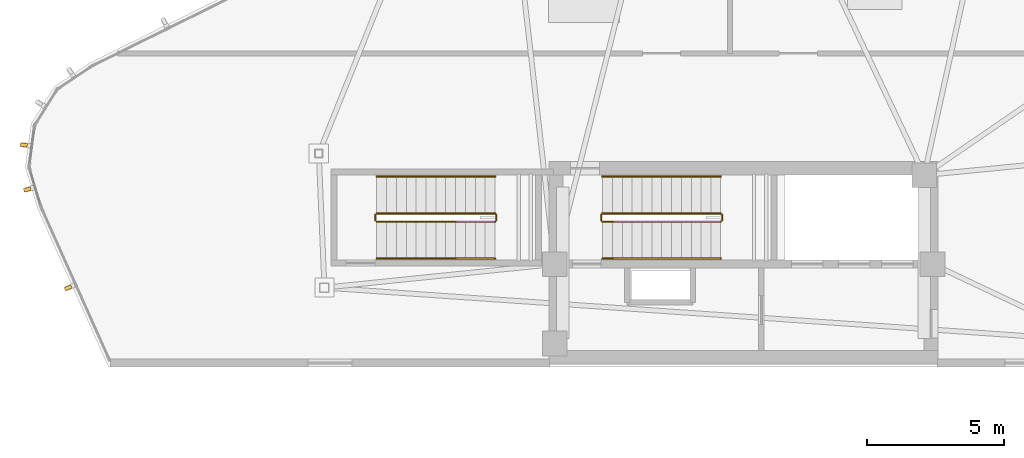
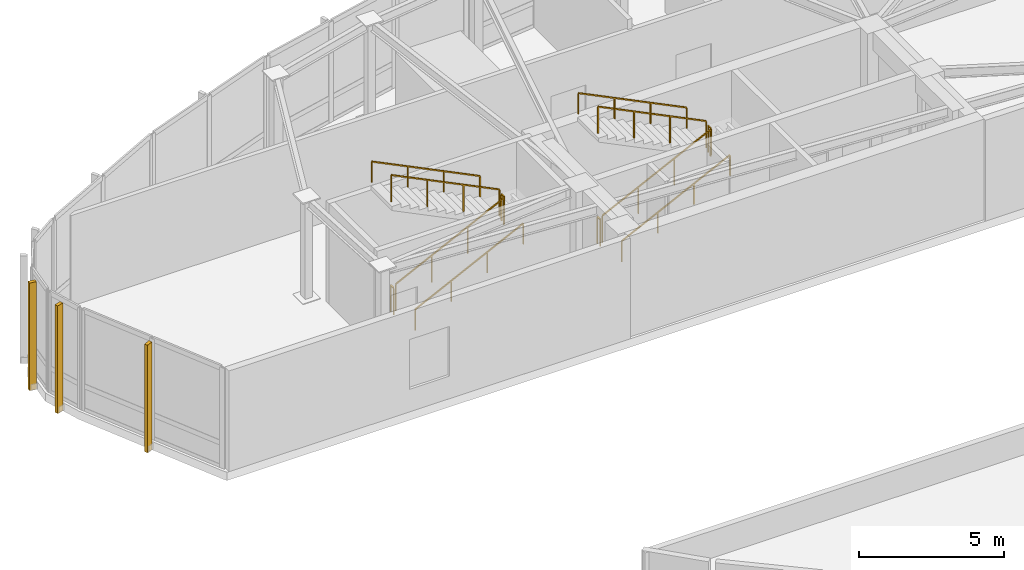
# One storey, part 9 of 11: 12 railings, 3 shading devices.
"""IFC4 building model written with IfcOpenShell, lengths in metres."""

from ifc_helpers import new_model, si_unit, direction, frame, origin, origin_2d, place, context, subcontext, project, spatial, rectangle, extrude, source, transform, mapped, material, type_object, type_shapes, element, save


model = new_model("IFC4")

# Units and contexts
model_context = context("Model", 3, precision=1e-05, world=origin(), true_north=direction((0.0, 1.0)))
body_context = subcontext(model_context, "Body", "Model", "MODEL_VIEW")
ifc_project = project(units=[si_unit("LENGTHUNIT", "METRE"), si_unit("AREAUNIT", "SQUARE_METRE"), si_unit("VOLUMEUNIT", "CUBIC_METRE"), si_unit("PLANEANGLEUNIT", "RADIAN"), si_unit("MASSUNIT", "GRAM", prefix="KILO")], contexts=[model_context])

# Site, building, storey
site_placement = place(None, origin())
site = spatial("IfcSite", under=ifc_project, at=site_placement, CompositionType="ELEMENT")
building_placement = place(site_placement, origin())
building = spatial("IfcBuilding", under=site, at=building_placement, Name="Tavelor Broadcast Tower", CompositionType="ELEMENT")
storey_placement = place(building_placement, frame((0.0, 0.0, 345.89990234375)))
storey = spatial("IfcBuildingStorey", under=building, at=storey_placement, Name="L82", CompositionType="ELEMENT", Elevation=345.89990234375)

# Railings
ifc_material_1 = material(Name="Steel S355", Category="steel")
railing_type_1 = type_object("IfcRailingType", Name="Continuous Brushed Stainless Handrail 900 mm", PredefinedType="HANDRAIL", material=ifc_material_1)
railing_1_placement = place(storey_placement, frame((44.85009765625, 48.14990234375, 0.177001953125)))
element("IfcRailing", 1, at=railing_1_placement, inside=storey, type_object=railing_type_1, Name="L82 ST1 stair handrail 1", PredefinedType="HANDRAIL", context=body_context, shape_type="SweptSolid", body=[
    extrude(rectangle(XDim=0.048095703125, YDim=0.048095703125, at=origin_2d()), frame((0.0, 0.0, 0.8759765625), z_axis=(0.897469794739, 0.0, 0.441075920371), x_axis=(0.0, 1.0, 0.0)), (0.0, 0.0, 1.0), 4.813232421875),
    extrude(rectangle(XDim=0.0419921875, YDim=0.0419921875, at=origin_2d()), origin(), (0.0, 0.0, 1.0), 0.851806640625),
    extrude(rectangle(XDim=0.0419921875, YDim=0.0419921875, at=origin_2d()), frame((1.43994140625, 0.0, 0.707763671875)), (0.0, 0.0, 1.0), 0.851806640625),
    extrude(rectangle(XDim=0.0419921875, YDim=0.0419921875, at=origin_2d()), frame((2.8798828125, 0.0, 1.415283203125)), (0.0, 0.0, 1.0), 0.851806640625),
    extrude(rectangle(XDim=0.0419921875, YDim=0.0419921875, at=origin_2d()), frame((4.31982421875, 0.0, 2.123046875)), (0.0, 0.0, 1.0), 0.851806640625),
])
railing_2_placement = place(storey_placement, frame((49.169921875, 51.14990234375, 2.47705078125)))
element("IfcRailing", 2, at=railing_2_placement, inside=storey, type_object=railing_type_1, Name="L82 ST1 stair handrail 2", PredefinedType="HANDRAIL", context=body_context, shape_type="SweptSolid", body=[
    extrude(rectangle(XDim=0.048095703125, YDim=0.048095703125, at=origin_2d()), frame((0.0, 0.0, 0.8759765625), z_axis=(-0.897469794739, 0.0, 0.441075920371), x_axis=(0.0, -1.0, 0.0)), (0.0, 0.0, 1.0), 4.813232421875),
    extrude(rectangle(XDim=0.0419921875, YDim=0.0419921875, at=origin_2d()), origin(), (0.0, 0.0, 1.0), 0.851806640625),
    extrude(rectangle(XDim=0.0419921875, YDim=0.0419921875, at=origin_2d()), frame((-1.43994140625, 0.0, 0.707763671875)), (0.0, 0.0, 1.0), 0.851806640625),
    extrude(rectangle(XDim=0.0419921875, YDim=0.0419921875, at=origin_2d()), frame((-2.8798828125, 0.0, 1.415283203125)), (0.0, 0.0, 1.0), 0.851806640625),
    extrude(rectangle(XDim=0.0419921875, YDim=0.0419921875, at=origin_2d()), frame((-4.31982421875, 0.0, 2.123046875)), (0.0, 0.0, 1.0), 0.851806640625),
])
railing_3_placement = place(storey_placement, frame((36.60009765625, 48.14990234375, 0.177001953125)))
element("IfcRailing", 3, at=railing_3_placement, inside=storey, type_object=railing_type_1, Name="L82 ST5 stair handrail 1", PredefinedType="HANDRAIL", context=body_context, shape_type="SweptSolid", body=[
    extrude(rectangle(XDim=0.048095703125, YDim=0.048095703125, at=origin_2d()), frame((0.0, 0.0, 0.8759765625), z_axis=(0.897469794739, 0.0, 0.441075920371), x_axis=(0.0, 1.0, 0.0)), (0.0, 0.0, 1.0), 4.813232421875),
    extrude(rectangle(XDim=0.0419921875, YDim=0.0419921875, at=origin_2d()), origin(), (0.0, 0.0, 1.0), 0.851806640625),
    extrude(rectangle(XDim=0.0419921875, YDim=0.0419921875, at=origin_2d()), frame((1.43994140625, 0.0, 0.707763671875)), (0.0, 0.0, 1.0), 0.851806640625),
    extrude(rectangle(XDim=0.0419921875, YDim=0.0419921875, at=origin_2d()), frame((2.8798828125, 0.0, 1.415283203125)), (0.0, 0.0, 1.0), 0.851806640625),
    extrude(rectangle(XDim=0.0419921875, YDim=0.0419921875, at=origin_2d()), frame((4.31982421875, 0.0, 2.123046875)), (0.0, 0.0, 1.0), 0.851806640625),
])
railing_4_placement = place(storey_placement, frame((40.919921875, 51.14990234375, 2.47705078125)))
element("IfcRailing", 4, at=railing_4_placement, inside=storey, type_object=railing_type_1, Name="L82 ST5 stair handrail 2", PredefinedType="HANDRAIL", context=body_context, shape_type="SweptSolid", body=[
    extrude(rectangle(XDim=0.048095703125, YDim=0.048095703125, at=origin_2d()), frame((0.0, 0.0, 0.8759765625), z_axis=(-0.897469794739, 0.0, 0.441075920371), x_axis=(0.0, -1.0, 0.0)), (0.0, 0.0, 1.0), 4.813232421875),
    extrude(rectangle(XDim=0.0419921875, YDim=0.0419921875, at=origin_2d()), origin(), (0.0, 0.0, 1.0), 0.851806640625),
    extrude(rectangle(XDim=0.0419921875, YDim=0.0419921875, at=origin_2d()), frame((-1.43994140625, 0.0, 0.707763671875)), (0.0, 0.0, 1.0), 0.851806640625),
    extrude(rectangle(XDim=0.0419921875, YDim=0.0419921875, at=origin_2d()), frame((-2.8798828125, 0.0, 1.415283203125)), (0.0, 0.0, 1.0), 0.851806640625),
    extrude(rectangle(XDim=0.0419921875, YDim=0.0419921875, at=origin_2d()), frame((-4.31982421875, 0.0, 2.123046875)), (0.0, 0.0, 1.0), 0.851806640625),
])
railing_type_2 = type_object("IfcRailingType", Name="Stairwell Steel Safety Guardrail 1150 mm", PredefinedType="GUARDRAIL", material=ifc_material_1)
railing_5_placement = place(storey_placement, frame((44.85009765625, 49.5, 0.177001953125)))
element("IfcRailing", 5, at=railing_5_placement, inside=storey, type_object=railing_type_2, Name="L82 ST1 stair guard 1", PredefinedType="GUARDRAIL", context=body_context, shape_type="SweptSolid", body=[
    extrude(rectangle(XDim=0.048095703125, YDim=0.048095703125, at=origin_2d()), frame((0.0, 0.0, 1.1259765625), z_axis=(0.897469794739, 0.0, 0.441075920371), x_axis=(0.0, 1.0, 0.0)), (0.0, 0.0, 1.0), 4.813232421875),
    extrude(rectangle(XDim=0.0419921875, YDim=0.0419921875, at=origin_2d()), origin(), (0.0, 0.0, 1.0), 1.101806640625),
    extrude(rectangle(XDim=0.0419921875, YDim=0.0419921875, at=origin_2d()), frame((1.43994140625, 0.0, 0.707763671875)), (0.0, 0.0, 1.0), 1.101806640625),
    extrude(rectangle(XDim=0.0419921875, YDim=0.0419921875, at=origin_2d()), frame((2.8798828125, 0.0, 1.415283203125)), (0.0, 0.0, 1.0), 1.101806640625),
    extrude(rectangle(XDim=0.0419921875, YDim=0.0419921875, at=origin_2d()), frame((4.31982421875, 0.0, 2.123046875)), (0.0, 0.0, 1.0), 1.101806640625),
])
railing_6_placement = place(storey_placement, frame((49.219970703125, 49.550048828125, 2.300048828125)))
element("IfcRailing", 6, at=railing_6_placement, inside=storey, type_object=railing_type_2, Name="L82 ST1 stair guard 2", PredefinedType="GUARDRAIL", context=body_context, shape_type="SweptSolid", body=[
    extrude(rectangle(XDim=0.048095703125, YDim=0.048095703125, at=origin_2d()), frame((0.0, 0.0, 1.1259765625), z_axis=(0.0, 1.0, 0.0), x_axis=(-1.0, 0.0, 0.0)), (0.0, 0.0, 1.0), 0.199951171875),
    extrude(rectangle(XDim=0.0419921875, YDim=0.0419921875, at=origin_2d()), origin(), (0.0, 0.0, 1.0), 1.101806640625),
    extrude(rectangle(XDim=0.0419921875, YDim=0.0419921875, at=origin_2d()), frame((0.0, 0.199951171875, 0.0)), (0.0, 0.0, 1.0), 1.101806640625),
])
railing_7_placement = place(storey_placement, frame((49.169921875, 49.800048828125, 2.47705078125)))
element("IfcRailing", 7, at=railing_7_placement, inside=storey, type_object=railing_type_2, Name="L82 ST1 stair guard 3", PredefinedType="GUARDRAIL", context=body_context, shape_type="SweptSolid", body=[
    extrude(rectangle(XDim=0.048095703125, YDim=0.048095703125, at=origin_2d()), frame((0.0, 0.0, 1.1259765625), z_axis=(-0.897469794739, 0.0, 0.441075920371), x_axis=(0.0, -1.0, 0.0)), (0.0, 0.0, 1.0), 4.813232421875),
    extrude(rectangle(XDim=0.0419921875, YDim=0.0419921875, at=origin_2d()), origin(), (0.0, 0.0, 1.0), 1.101806640625),
    extrude(rectangle(XDim=0.0419921875, YDim=0.0419921875, at=origin_2d()), frame((-1.43994140625, 0.0, 0.707763671875)), (0.0, 0.0, 1.0), 1.101806640625),
    extrude(rectangle(XDim=0.0419921875, YDim=0.0419921875, at=origin_2d()), frame((-2.8798828125, 0.0, 1.415283203125)), (0.0, 0.0, 1.0), 1.101806640625),
    extrude(rectangle(XDim=0.0419921875, YDim=0.0419921875, at=origin_2d()), frame((-4.31982421875, 0.0, 2.123046875)), (0.0, 0.0, 1.0), 1.101806640625),
])
railing_8_placement = place(storey_placement, frame((44.800048828125, 49.550048828125, 0.0)))
element("IfcRailing", 8, at=railing_8_placement, inside=storey, type_object=railing_type_2, Name="L82 ST1 stair guard 4", PredefinedType="GUARDRAIL", context=body_context, shape_type="SweptSolid", body=[
    extrude(rectangle(XDim=0.048095703125, YDim=0.048095703125, at=origin_2d()), frame((0.0, 0.0, 1.1259765625), z_axis=(0.0, 1.0, 0.0), x_axis=(-1.0, 0.0, 0.0)), (0.0, 0.0, 1.0), 0.199951171875),
    extrude(rectangle(XDim=0.0419921875, YDim=0.0419921875, at=origin_2d()), origin(), (0.0, 0.0, 1.0), 1.101806640625),
    extrude(rectangle(XDim=0.0419921875, YDim=0.0419921875, at=origin_2d()), frame((0.0, 0.199951171875, 0.0)), (0.0, 0.0, 1.0), 1.101806640625),
])
railing_9_placement = place(storey_placement, frame((36.60009765625, 49.5, 0.177001953125)))
element("IfcRailing", 9, at=railing_9_placement, inside=storey, type_object=railing_type_2, Name="L82 ST5 stair guard 1", PredefinedType="GUARDRAIL", context=body_context, shape_type="SweptSolid", body=[
    extrude(rectangle(XDim=0.048095703125, YDim=0.048095703125, at=origin_2d()), frame((0.0, 0.0, 1.1259765625), z_axis=(0.897469794739, 0.0, 0.441075920371), x_axis=(0.0, 1.0, 0.0)), (0.0, 0.0, 1.0), 4.813232421875),
    extrude(rectangle(XDim=0.0419921875, YDim=0.0419921875, at=origin_2d()), origin(), (0.0, 0.0, 1.0), 1.101806640625),
    extrude(rectangle(XDim=0.0419921875, YDim=0.0419921875, at=origin_2d()), frame((1.43994140625, 0.0, 0.707763671875)), (0.0, 0.0, 1.0), 1.101806640625),
    extrude(rectangle(XDim=0.0419921875, YDim=0.0419921875, at=origin_2d()), frame((2.8798828125, 0.0, 1.415283203125)), (0.0, 0.0, 1.0), 1.101806640625),
    extrude(rectangle(XDim=0.0419921875, YDim=0.0419921875, at=origin_2d()), frame((4.31982421875, 0.0, 2.123046875)), (0.0, 0.0, 1.0), 1.101806640625),
])
railing_10_placement = place(storey_placement, frame((40.969970703125, 49.550048828125, 2.300048828125)))
element("IfcRailing", 10, at=railing_10_placement, inside=storey, type_object=railing_type_2, Name="L82 ST5 stair guard 2", PredefinedType="GUARDRAIL", context=body_context, shape_type="SweptSolid", body=[
    extrude(rectangle(XDim=0.048095703125, YDim=0.048095703125, at=origin_2d()), frame((0.0, 0.0, 1.1259765625), z_axis=(0.0, 1.0, 0.0), x_axis=(-1.0, 0.0, 0.0)), (0.0, 0.0, 1.0), 0.199951171875),
    extrude(rectangle(XDim=0.0419921875, YDim=0.0419921875, at=origin_2d()), origin(), (0.0, 0.0, 1.0), 1.101806640625),
    extrude(rectangle(XDim=0.0419921875, YDim=0.0419921875, at=origin_2d()), frame((0.0, 0.199951171875, 0.0)), (0.0, 0.0, 1.0), 1.101806640625),
])
railing_11_placement = place(storey_placement, frame((40.919921875, 49.800048828125, 2.47705078125)))
element("IfcRailing", 11, at=railing_11_placement, inside=storey, type_object=railing_type_2, Name="L82 ST5 stair guard 3", PredefinedType="GUARDRAIL", context=body_context, shape_type="SweptSolid", body=[
    extrude(rectangle(XDim=0.048095703125, YDim=0.048095703125, at=origin_2d()), frame((0.0, 0.0, 1.1259765625), z_axis=(-0.897469794739, 0.0, 0.441075920371), x_axis=(0.0, -1.0, 0.0)), (0.0, 0.0, 1.0), 4.813232421875),
    extrude(rectangle(XDim=0.0419921875, YDim=0.0419921875, at=origin_2d()), origin(), (0.0, 0.0, 1.0), 1.101806640625),
    extrude(rectangle(XDim=0.0419921875, YDim=0.0419921875, at=origin_2d()), frame((-1.43994140625, 0.0, 0.707763671875)), (0.0, 0.0, 1.0), 1.101806640625),
    extrude(rectangle(XDim=0.0419921875, YDim=0.0419921875, at=origin_2d()), frame((-2.8798828125, 0.0, 1.415283203125)), (0.0, 0.0, 1.0), 1.101806640625),
    extrude(rectangle(XDim=0.0419921875, YDim=0.0419921875, at=origin_2d()), frame((-4.31982421875, 0.0, 2.123046875)), (0.0, 0.0, 1.0), 1.101806640625),
])
railing_12_placement = place(storey_placement, frame((36.550048828125, 49.550048828125, 0.0)))
element("IfcRailing", 12, at=railing_12_placement, inside=storey, type_object=railing_type_2, Name="L82 ST5 stair guard 4", PredefinedType="GUARDRAIL", context=body_context, shape_type="SweptSolid", body=[
    extrude(rectangle(XDim=0.048095703125, YDim=0.048095703125, at=origin_2d()), frame((0.0, 0.0, 1.1259765625), z_axis=(0.0, 1.0, 0.0), x_axis=(-1.0, 0.0, 0.0)), (0.0, 0.0, 1.0), 0.199951171875),
    extrude(rectangle(XDim=0.0419921875, YDim=0.0419921875, at=origin_2d()), origin(), (0.0, 0.0, 1.0), 1.101806640625),
    extrude(rectangle(XDim=0.0419921875, YDim=0.0419921875, at=origin_2d()), frame((0.0, 0.199951171875, 0.0)), (0.0, 0.0, 1.0), 1.101806640625),
])

# Shading devices
ifc_material_2 = material(Name="Kiln-Fired Glazed Terracotta", Category="masonry")
shading_device_type = type_object("IfcShadingDeviceType", Name="Extruded Terracotta Corner Baguette 130x260", PredefinedType="JALOUSIE", material=ifc_material_2)
shared_shape = source(origin(), body_context, "Body", "SweptSolid", [
    extrude(rectangle(XDim=0.1298828125, YDim=0.260009765625, at=origin_2d()), origin(), (0.0, 0.0, 1.0), 4.5400390625),
])
type_shapes(shading_device_type, [shared_shape])
for number, where, z_axis, x_axis, name in (
    (13, (23.70849609375, 52.30224609375, -0.309814453125), (0.0, 0.0, 1.0), (-0.133121338527, -0.991099747366, 0.0), "L82 Terracotta Baguette Fin 837"),
    (14, (23.836669921875, 50.67529296875, -0.309814453125), (0.0, 0.0, 1.0), (0.286524552728, -0.958072899462, 0.0), "L82 Terracotta Baguette Fin 838"),
    (15, (25.328857421875, 47.084228515625, -0.309814453125), (0.0, 0.0, 1.0), (0.408649074736, -0.912691587404, 0.0), "L82 Terracotta Baguette Fin 839"),
):
    element("IfcShadingDevice", number, at=place(storey_placement, frame(where, z_axis=z_axis, x_axis=x_axis)), inside=storey, type_object=shading_device_type, Name=name, PredefinedType="JALOUSIE", context=body_context, shape_type="MappedRepresentation", body=[
        mapped(shared_shape, transform((0.0, 0.0, 0.0), scale=1.0)),
    ])

save(model, "model.ifc")
